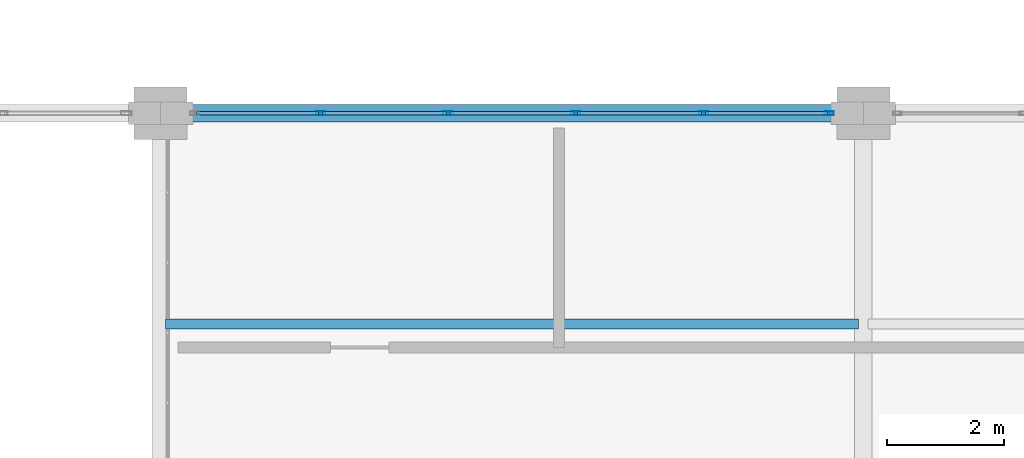
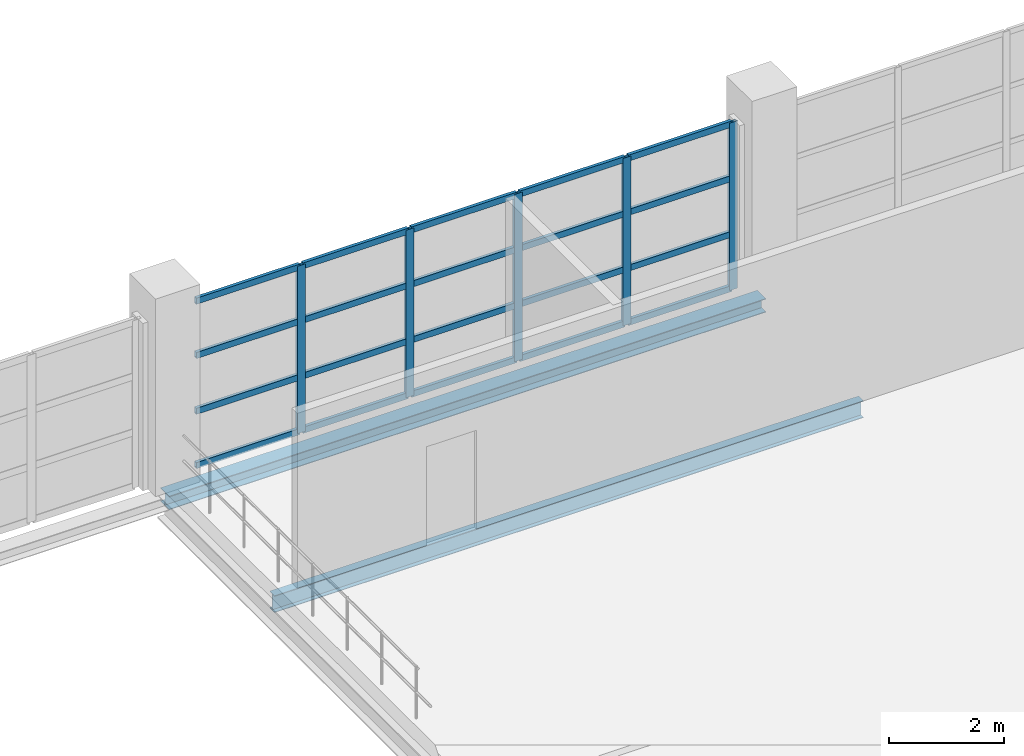
# One storey, part 78 of 158: 25 members, 2 beams, 1 element without a shape of its own.
"""IFC4 building model written with IfcOpenShell, lengths in metres."""

from ifc_helpers import new_model, si_unit, direction, frame, origin, origin_2d, place, context, subcontext, project, spatial, hollow_rectangle, i_section, extrude, material, layer, layer_set, material_profile, profile_set, type_object, element, aggregate, save


model = new_model("IFC4")

# Units and contexts
model_context = context("Model", 3, precision=1e-05, world=origin(), true_north=direction((0.0, 1.0)))
body_context = subcontext(model_context, "Body", "Model", "MODEL_VIEW")
ifc_project = project(units=[si_unit("LENGTHUNIT", "METRE"), si_unit("AREAUNIT", "SQUARE_METRE"), si_unit("VOLUMEUNIT", "CUBIC_METRE"), si_unit("PLANEANGLEUNIT", "RADIAN"), si_unit("MASSUNIT", "GRAM", prefix="KILO")], contexts=[model_context])

# Site, building, storey
site_placement = place(None, origin())
site = spatial("IfcSite", under=ifc_project, at=site_placement, CompositionType="ELEMENT")
building_placement = place(site_placement, origin())
building = spatial("IfcBuilding", under=site, at=building_placement, Name="Zilviju Railside Exhibition Hall", CompositionType="ELEMENT")
storey_placement = place(building_placement, frame((0.0, 0.0, 4.199951171875)))
storey = spatial("IfcBuildingStorey", under=building, at=storey_placement, Name="L02", CompositionType="ELEMENT", Elevation=4.199951171875)

# Beams
ifc_material_1 = material(Name="Steel S355J2", Category="steel")
ifc_material_profile_1 = material_profile(ifc_material_1, i_section(OverallWidth=0.300048828125, OverallDepth=0.2900390625, WebThickness=0.008544921875, FlangeThickness=0.013916015625, at=origin_2d()), Name="HEA 300")
ifc_profile_set_1 = profile_set([ifc_material_profile_1], Name="Steel S355J2")
beam_type_1 = type_object("IfcBeamType", Name="BM-HEA300", PredefinedType="SPANDREL", material=ifc_profile_set_1)
beam_1_placement = place(storey_placement, frame((180.0, 54.0, -0.474853515625), z_axis=(1.0, 0.0, 0.0), x_axis=(0.0, 1.0, 0.0)))
element("IfcBeam", 1, at=beam_1_placement, inside=storey, type_object=beam_type_1, Name="Primary Girder L02 Y=54.0 (180.0..192.0)", PredefinedType="SPANDREL", context=body_context, shape_type="SweptSolid", body=[
    extrude(i_section(OverallWidth=0.300048828125, OverallDepth=0.2900390625, WebThickness=0.008544921875, FlangeThickness=0.013916015625, at=origin_2d()), origin(), (0.0, 0.0, 1.0), 12.0),
])
ifc_material_profile_2 = material_profile(ifc_material_1, i_section(OverallWidth=0.169921875, OverallDepth=0.360107421875, WebThickness=0.008056640625, FlangeThickness=0.0126953125, at=origin_2d()), Name="IPE 360")
ifc_profile_set_2 = profile_set([ifc_material_profile_2], Name="Steel S355J2")
beam_type_2 = type_object("IfcBeamType", Name="BM-IPE360", PredefinedType="JOIST", material=ifc_profile_set_2)
beam_2_placement = place(storey_placement, frame((180.080078125, 50.39990234375, -0.510009765625), z_axis=(1.0, 0.0, 0.0), x_axis=(0.0, 1.0, 0.0)))
element("IfcBeam", 2, at=beam_2_placement, inside=storey, type_object=beam_type_2, Name="Composite Floor Joist L02 Y=50.40 (180.0..192.0)", PredefinedType="JOIST", context=body_context, shape_type="SweptSolid", body=[
    extrude(i_section(OverallWidth=0.169921875, OverallDepth=0.360107421875, WebThickness=0.008056640625, FlangeThickness=0.0126953125, at=origin_2d()), origin(), (0.0, 0.0, 1.0), 11.83984375),
])

# Curtain wall, members
ifc_material_2 = material(Name="Thermally broken aluminium-steel triple-glazed curtain wall", Category="steel")
ifc_layer = layer(ifc_material_2, 0.179931640625)
ifc_layer_set = layer_set([ifc_layer], Name="Thermally broken aluminium-steel triple-glazed curtain wall")
curtain_wall_type = type_object("IfcCurtainWallType", Name="CW-BAY-06", PredefinedType="USERDEFINED", material=ifc_layer_set)
curtain_wall_placement = place(storey_placement, origin())
curtain_wall = element("IfcCurtainWall", 3, at=curtain_wall_placement, inside=storey, type_object=curtain_wall_type, Name="South Hall Garden Court Curtain Wall L02 (180..192)", ObjectType="GLAZED CURTAIN WALL", PredefinedType="USERDEFINED")
ifc_material_3 = material(Name="Thermally broken anodized aluminium mullion", Category="aluminium")
ifc_material_profile_3 = material_profile(ifc_material_3, hollow_rectangle(XDim=0.06494140625, YDim=0.159912109375, WallThickness=0.0048828125, at=origin_2d()), Name="MULLION 160x65x5")
ifc_profile_set_3 = profile_set([ifc_material_profile_3], Name="Thermally broken anodized aluminium mullion")
member_type_1 = type_object("IfcMemberType", Name="CWM-65x160", PredefinedType="MULLION", material=ifc_profile_set_3)
member_1_placement = place(storey_placement, frame((182.72998046875, 54.0, 0.0), z_axis=(0.0, 0.0, 1.0), x_axis=(0.0, 1.0, 0.0)))
member_1 = element("IfcMember", 4, at=member_1_placement, type_object=member_type_1, Name="CW-06 mullion 2", PredefinedType="MULLION", context=body_context, shape_type="SweptSolid", body=[
    extrude(hollow_rectangle(XDim=0.06494140625, YDim=0.159912109375, WallThickness=0.0048828125, at=origin_2d()), origin(), (0.0, 0.0, 1.0), 3.56005859375),
])
member_2_placement = place(storey_placement, frame((184.909912109375, 54.0, 0.0), z_axis=(0.0, 0.0, 1.0), x_axis=(0.0, 1.0, 0.0)))
member_2 = element("IfcMember", 5, at=member_2_placement, type_object=member_type_1, Name="CW-06 mullion 3", PredefinedType="MULLION", context=body_context, shape_type="SweptSolid", body=[
    extrude(hollow_rectangle(XDim=0.06494140625, YDim=0.159912109375, WallThickness=0.0048828125, at=origin_2d()), origin(), (0.0, 0.0, 1.0), 3.56005859375),
])
member_3_placement = place(storey_placement, frame((187.090087890625, 54.0, 0.0), z_axis=(0.0, 0.0, 1.0), x_axis=(0.0, 1.0, 0.0)))
member_3 = element("IfcMember", 6, at=member_3_placement, type_object=member_type_1, Name="CW-06 mullion 4", PredefinedType="MULLION", context=body_context, shape_type="SweptSolid", body=[
    extrude(hollow_rectangle(XDim=0.06494140625, YDim=0.159912109375, WallThickness=0.0048828125, at=origin_2d()), origin(), (0.0, 0.0, 1.0), 3.56005859375),
])
member_4_placement = place(storey_placement, frame((189.27001953125, 54.0, 0.0), z_axis=(0.0, 0.0, 1.0), x_axis=(0.0, 1.0, 0.0)))
member_4 = element("IfcMember", 7, at=member_4_placement, type_object=member_type_1, Name="CW-06 mullion 5", PredefinedType="MULLION", context=body_context, shape_type="SweptSolid", body=[
    extrude(hollow_rectangle(XDim=0.06494140625, YDim=0.159912109375, WallThickness=0.0048828125, at=origin_2d()), origin(), (0.0, 0.0, 1.0), 3.56005859375),
])
member_5_placement = place(storey_placement, frame((191.41748046875, 54.0, 0.0), z_axis=(0.0, 0.0, 1.0), x_axis=(0.0, 1.0, 0.0)))
member_5 = element("IfcMember", 8, at=member_5_placement, type_object=member_type_1, Name="CW-06 mullion 6", PredefinedType="MULLION", context=body_context, shape_type="SweptSolid", body=[
    extrude(hollow_rectangle(XDim=0.06494140625, YDim=0.159912109375, WallThickness=0.0048828125, at=origin_2d()), origin(), (0.0, 0.0, 1.0), 3.56005859375),
])
ifc_material_4 = material(Name="Thermally broken anodized aluminium transom", Category="aluminium")
ifc_material_profile_4 = material_profile(ifc_material_4, hollow_rectangle(XDim=0.06494140625, YDim=0.1298828125, WallThickness=0.0048828125, at=origin_2d()), Name="TRANSOM 130x65x5")
ifc_profile_set_4 = profile_set([ifc_material_profile_4], Name="Thermally broken anodized aluminium transom")
member_type_2 = type_object("IfcMemberType", Name="CWT-65x130", PredefinedType="USERDEFINED", material=ifc_profile_set_4)
member_6_placement = place(storey_placement, frame((180.614990234375, 54.0, 0.032470703125), z_axis=(1.0, 0.0, 0.0), x_axis=(0.0, 1.0, 0.0)))
member_6 = element("IfcMember", 9, at=member_6_placement, type_object=member_type_2, Name="CW-06 transom 1.1", ObjectType="TRANSOM", PredefinedType="USERDEFINED", context=body_context, shape_type="SweptSolid", body=[
    extrude(hollow_rectangle(XDim=0.06494140625, YDim=0.1298828125, WallThickness=0.0048828125, at=origin_2d()), origin(), (0.0, 0.0, 1.0), 2.08251953125),
])
member_7_placement = place(storey_placement, frame((180.614990234375, 54.0, 1.18701171875), z_axis=(1.0, 0.0, 0.0), x_axis=(0.0, 1.0, 0.0)))
member_7 = element("IfcMember", 10, at=member_7_placement, type_object=member_type_2, Name="CW-06 transom 1.2", ObjectType="TRANSOM", PredefinedType="USERDEFINED", context=body_context, shape_type="SweptSolid", body=[
    extrude(hollow_rectangle(XDim=0.06494140625, YDim=0.1298828125, WallThickness=0.0048828125, at=origin_2d()), origin(), (0.0, 0.0, 1.0), 2.08251953125),
])
member_8_placement = place(storey_placement, frame((180.614990234375, 54.0, 2.373046875), z_axis=(1.0, 0.0, 0.0), x_axis=(0.0, 1.0, 0.0)))
member_8 = element("IfcMember", 11, at=member_8_placement, type_object=member_type_2, Name="CW-06 transom 1.3", ObjectType="TRANSOM", PredefinedType="USERDEFINED", context=body_context, shape_type="SweptSolid", body=[
    extrude(hollow_rectangle(XDim=0.06494140625, YDim=0.1298828125, WallThickness=0.0048828125, at=origin_2d()), origin(), (0.0, 0.0, 1.0), 2.08251953125),
])
member_9_placement = place(storey_placement, frame((180.614990234375, 54.0, 3.527587890625), z_axis=(1.0, 0.0, 0.0), x_axis=(0.0, 1.0, 0.0)))
member_9 = element("IfcMember", 12, at=member_9_placement, type_object=member_type_2, Name="CW-06 transom 1.4", ObjectType="TRANSOM", PredefinedType="USERDEFINED", context=body_context, shape_type="SweptSolid", body=[
    extrude(hollow_rectangle(XDim=0.06494140625, YDim=0.1298828125, WallThickness=0.0048828125, at=origin_2d()), origin(), (0.0, 0.0, 1.0), 2.08251953125),
])
member_10_placement = place(storey_placement, frame((182.762451171875, 54.0, 0.032470703125), z_axis=(1.0, 0.0, 0.0), x_axis=(0.0, 1.0, 0.0)))
member_10 = element("IfcMember", 13, at=member_10_placement, type_object=member_type_2, Name="CW-06 transom 2.1", ObjectType="TRANSOM", PredefinedType="USERDEFINED", context=body_context, shape_type="SweptSolid", body=[
    extrude(hollow_rectangle(XDim=0.06494140625, YDim=0.1298828125, WallThickness=0.0048828125, at=origin_2d()), origin(), (0.0, 0.0, 1.0), 2.114990234375),
])
member_11_placement = place(storey_placement, frame((182.762451171875, 54.0, 1.18701171875), z_axis=(1.0, 0.0, 0.0), x_axis=(0.0, 1.0, 0.0)))
member_11 = element("IfcMember", 14, at=member_11_placement, type_object=member_type_2, Name="CW-06 transom 2.2", ObjectType="TRANSOM", PredefinedType="USERDEFINED", context=body_context, shape_type="SweptSolid", body=[
    extrude(hollow_rectangle(XDim=0.06494140625, YDim=0.1298828125, WallThickness=0.0048828125, at=origin_2d()), origin(), (0.0, 0.0, 1.0), 2.114990234375),
])
member_12_placement = place(storey_placement, frame((182.762451171875, 54.0, 2.373046875), z_axis=(1.0, 0.0, 0.0), x_axis=(0.0, 1.0, 0.0)))
member_12 = element("IfcMember", 15, at=member_12_placement, type_object=member_type_2, Name="CW-06 transom 2.3", ObjectType="TRANSOM", PredefinedType="USERDEFINED", context=body_context, shape_type="SweptSolid", body=[
    extrude(hollow_rectangle(XDim=0.06494140625, YDim=0.1298828125, WallThickness=0.0048828125, at=origin_2d()), origin(), (0.0, 0.0, 1.0), 2.114990234375),
])
member_13_placement = place(storey_placement, frame((182.762451171875, 54.0, 3.527587890625), z_axis=(1.0, 0.0, 0.0), x_axis=(0.0, 1.0, 0.0)))
member_13 = element("IfcMember", 16, at=member_13_placement, type_object=member_type_2, Name="CW-06 transom 2.4", ObjectType="TRANSOM", PredefinedType="USERDEFINED", context=body_context, shape_type="SweptSolid", body=[
    extrude(hollow_rectangle(XDim=0.06494140625, YDim=0.1298828125, WallThickness=0.0048828125, at=origin_2d()), origin(), (0.0, 0.0, 1.0), 2.114990234375),
])
member_14_placement = place(storey_placement, frame((184.9423828125, 54.0, 0.032470703125), z_axis=(1.0, 0.0, 0.0), x_axis=(0.0, 1.0, 0.0)))
member_14 = element("IfcMember", 17, at=member_14_placement, type_object=member_type_2, Name="CW-06 transom 3.1", ObjectType="TRANSOM", PredefinedType="USERDEFINED", context=body_context, shape_type="SweptSolid", body=[
    extrude(hollow_rectangle(XDim=0.06494140625, YDim=0.1298828125, WallThickness=0.0048828125, at=origin_2d()), origin(), (0.0, 0.0, 1.0), 2.115234375),
])
member_15_placement = place(storey_placement, frame((184.9423828125, 54.0, 1.18701171875), z_axis=(1.0, 0.0, 0.0), x_axis=(0.0, 1.0, 0.0)))
member_15 = element("IfcMember", 18, at=member_15_placement, type_object=member_type_2, Name="CW-06 transom 3.2", ObjectType="TRANSOM", PredefinedType="USERDEFINED", context=body_context, shape_type="SweptSolid", body=[
    extrude(hollow_rectangle(XDim=0.06494140625, YDim=0.1298828125, WallThickness=0.0048828125, at=origin_2d()), origin(), (0.0, 0.0, 1.0), 2.115234375),
])
member_16_placement = place(storey_placement, frame((184.9423828125, 54.0, 2.373046875), z_axis=(1.0, 0.0, 0.0), x_axis=(0.0, 1.0, 0.0)))
member_16 = element("IfcMember", 19, at=member_16_placement, type_object=member_type_2, Name="CW-06 transom 3.3", ObjectType="TRANSOM", PredefinedType="USERDEFINED", context=body_context, shape_type="SweptSolid", body=[
    extrude(hollow_rectangle(XDim=0.06494140625, YDim=0.1298828125, WallThickness=0.0048828125, at=origin_2d()), origin(), (0.0, 0.0, 1.0), 2.115234375),
])
member_17_placement = place(storey_placement, frame((184.9423828125, 54.0, 3.527587890625), z_axis=(1.0, 0.0, 0.0), x_axis=(0.0, 1.0, 0.0)))
member_17 = element("IfcMember", 20, at=member_17_placement, type_object=member_type_2, Name="CW-06 transom 3.4", ObjectType="TRANSOM", PredefinedType="USERDEFINED", context=body_context, shape_type="SweptSolid", body=[
    extrude(hollow_rectangle(XDim=0.06494140625, YDim=0.1298828125, WallThickness=0.0048828125, at=origin_2d()), origin(), (0.0, 0.0, 1.0), 2.115234375),
])
member_18_placement = place(storey_placement, frame((187.12255859375, 54.0, 0.032470703125), z_axis=(1.0, 0.0, 0.0), x_axis=(0.0, 1.0, 0.0)))
member_18 = element("IfcMember", 21, at=member_18_placement, type_object=member_type_2, Name="CW-06 transom 4.1", ObjectType="TRANSOM", PredefinedType="USERDEFINED", context=body_context, shape_type="SweptSolid", body=[
    extrude(hollow_rectangle(XDim=0.06494140625, YDim=0.1298828125, WallThickness=0.0048828125, at=origin_2d()), origin(), (0.0, 0.0, 1.0), 2.114990234375),
])
member_19_placement = place(storey_placement, frame((187.12255859375, 54.0, 1.18701171875), z_axis=(1.0, 0.0, 0.0), x_axis=(0.0, 1.0, 0.0)))
member_19 = element("IfcMember", 22, at=member_19_placement, type_object=member_type_2, Name="CW-06 transom 4.2", ObjectType="TRANSOM", PredefinedType="USERDEFINED", context=body_context, shape_type="SweptSolid", body=[
    extrude(hollow_rectangle(XDim=0.06494140625, YDim=0.1298828125, WallThickness=0.0048828125, at=origin_2d()), origin(), (0.0, 0.0, 1.0), 2.114990234375),
])
member_20_placement = place(storey_placement, frame((187.12255859375, 54.0, 2.373046875), z_axis=(1.0, 0.0, 0.0), x_axis=(0.0, 1.0, 0.0)))
member_20 = element("IfcMember", 23, at=member_20_placement, type_object=member_type_2, Name="CW-06 transom 4.3", ObjectType="TRANSOM", PredefinedType="USERDEFINED", context=body_context, shape_type="SweptSolid", body=[
    extrude(hollow_rectangle(XDim=0.06494140625, YDim=0.1298828125, WallThickness=0.0048828125, at=origin_2d()), origin(), (0.0, 0.0, 1.0), 2.114990234375),
])
member_21_placement = place(storey_placement, frame((187.12255859375, 54.0, 3.527587890625), z_axis=(1.0, 0.0, 0.0), x_axis=(0.0, 1.0, 0.0)))
member_21 = element("IfcMember", 24, at=member_21_placement, type_object=member_type_2, Name="CW-06 transom 4.4", ObjectType="TRANSOM", PredefinedType="USERDEFINED", context=body_context, shape_type="SweptSolid", body=[
    extrude(hollow_rectangle(XDim=0.06494140625, YDim=0.1298828125, WallThickness=0.0048828125, at=origin_2d()), origin(), (0.0, 0.0, 1.0), 2.114990234375),
])
member_22_placement = place(storey_placement, frame((189.302490234375, 54.0, 0.032470703125), z_axis=(1.0, 0.0, 0.0), x_axis=(0.0, 1.0, 0.0)))
member_22 = element("IfcMember", 25, at=member_22_placement, type_object=member_type_2, Name="CW-06 transom 5.1", ObjectType="TRANSOM", PredefinedType="USERDEFINED", context=body_context, shape_type="SweptSolid", body=[
    extrude(hollow_rectangle(XDim=0.06494140625, YDim=0.1298828125, WallThickness=0.0048828125, at=origin_2d()), origin(), (0.0, 0.0, 1.0), 2.08251953125),
])
member_23_placement = place(storey_placement, frame((189.302490234375, 54.0, 1.18701171875), z_axis=(1.0, 0.0, 0.0), x_axis=(0.0, 1.0, 0.0)))
member_23 = element("IfcMember", 26, at=member_23_placement, type_object=member_type_2, Name="CW-06 transom 5.2", ObjectType="TRANSOM", PredefinedType="USERDEFINED", context=body_context, shape_type="SweptSolid", body=[
    extrude(hollow_rectangle(XDim=0.06494140625, YDim=0.1298828125, WallThickness=0.0048828125, at=origin_2d()), origin(), (0.0, 0.0, 1.0), 2.08251953125),
])
member_24_placement = place(storey_placement, frame((189.302490234375, 54.0, 2.373046875), z_axis=(1.0, 0.0, 0.0), x_axis=(0.0, 1.0, 0.0)))
member_24 = element("IfcMember", 27, at=member_24_placement, type_object=member_type_2, Name="CW-06 transom 5.3", ObjectType="TRANSOM", PredefinedType="USERDEFINED", context=body_context, shape_type="SweptSolid", body=[
    extrude(hollow_rectangle(XDim=0.06494140625, YDim=0.1298828125, WallThickness=0.0048828125, at=origin_2d()), origin(), (0.0, 0.0, 1.0), 2.08251953125),
])
member_25_placement = place(storey_placement, frame((189.302490234375, 54.0, 3.527587890625), z_axis=(1.0, 0.0, 0.0), x_axis=(0.0, 1.0, 0.0)))
member_25 = element("IfcMember", 28, at=member_25_placement, type_object=member_type_2, Name="CW-06 transom 5.4", ObjectType="TRANSOM", PredefinedType="USERDEFINED", context=body_context, shape_type="SweptSolid", body=[
    extrude(hollow_rectangle(XDim=0.06494140625, YDim=0.1298828125, WallThickness=0.0048828125, at=origin_2d()), origin(), (0.0, 0.0, 1.0), 2.08251953125),
])
aggregate(curtain_wall, [member_1, member_2, member_3, member_4, member_5, member_6, member_7, member_8, member_9, member_10, member_11, member_12, member_13, member_14, member_15, member_16, member_17, member_18, member_19, member_20, member_21, member_22, member_23, member_24, member_25])

save(model, "model.ifc")
